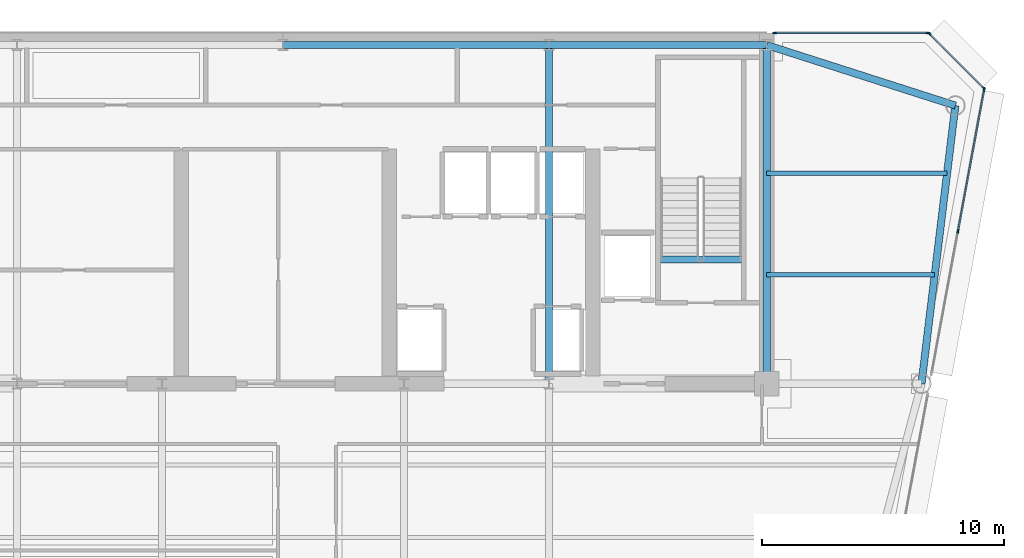
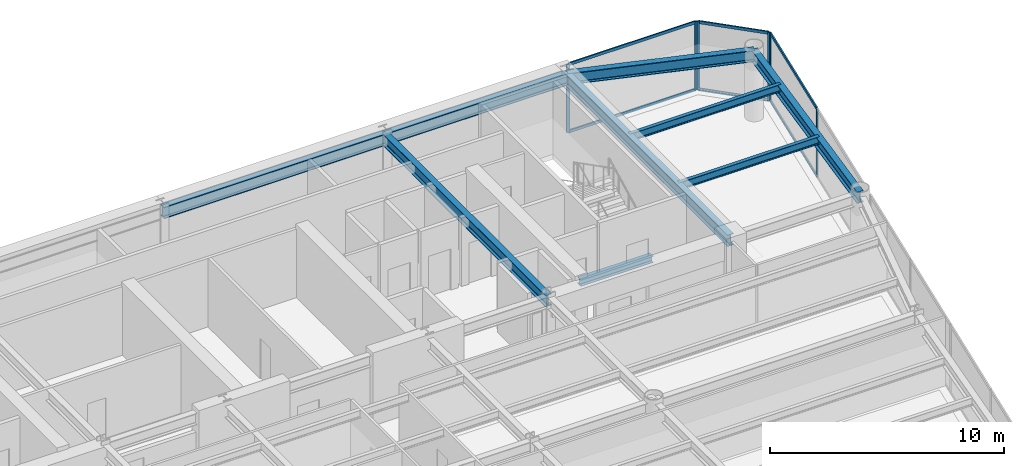
# One storey, part 9 of 16: 12 members, 9 beams, 3 elements without a shape of their own.
"""IFC4 building model written with IfcOpenShell, lengths in metres."""

from ifc_helpers import new_model, si_unit, direction, frame, origin, origin_2d, place, context, subcontext, project, spatial, rectangle, i_section, extrude, source, transform, mapped, material, layer, layer_set, material_profile, profile_set, type_object, element, aggregate, save


model = new_model("IFC4")

# Units and contexts
model_context = context("Model", 3, precision=1e-05, world=origin(), true_north=direction((0.0, 1.0)))
body_context = subcontext(model_context, "Body", "Model", "MODEL_VIEW")
ifc_project = project(units=[si_unit("LENGTHUNIT", "METRE"), si_unit("AREAUNIT", "SQUARE_METRE"), si_unit("VOLUMEUNIT", "CUBIC_METRE"), si_unit("PLANEANGLEUNIT", "RADIAN"), si_unit("MASSUNIT", "GRAM", prefix="KILO")], contexts=[model_context])

# Site, building, storey
site_placement = place(None, origin())
site = spatial("IfcSite", under=ifc_project, at=site_placement, CompositionType="ELEMENT")
building_placement = place(site_placement, origin())
building = spatial("IfcBuilding", under=site, at=building_placement, Name="Vaeldorn Concourse Tower", CompositionType="ELEMENT")
storey_placement = place(building_placement, frame((0.0, 0.0, 223.199951171875)))
storey = spatial("IfcBuildingStorey", under=building, at=storey_placement, Name="L57", CompositionType="ELEMENT", Elevation=223.199951171875)

# Beams
ifc_material_1 = material(Name="Steel S355", Category="steel")
ifc_material_profile_1 = material_profile(ifc_material_1, i_section(OverallWidth=0.300048828125, OverallDepth=0.340087890625, WebThickness=0.011962890625, FlangeThickness=0.021484375, FilletRadius=0.027099609375, at=origin_2d()), Name="HEB 340")
ifc_profile_set_1 = profile_set([ifc_material_profile_1], Name="Steel S355")
beam_type_1 = type_object("IfcBeamType", Name="BM-ST-TRIM", PredefinedType="BEAM", material=ifc_profile_set_1)
shared_shape_1 = source(origin(), body_context, "Body", "SweptSolid", [
    extrude(i_section(OverallWidth=0.300048828125, OverallDepth=0.340087890625, WebThickness=0.011962890625, FlangeThickness=0.021484375, FilletRadius=0.027099609375, at=origin_2d()), origin(), (0.0, 0.0, 1.0), 3.590087890625),
])
beam_1_placement = place(storey_placement, frame((49.47998046875, 41.639892578125, -0.429931640625), z_axis=(1.0, 0.0, 0.0), x_axis=(0.0, 1.0, 0.0)))
element("IfcBeam", 1, at=beam_1_placement, inside=storey, type_object=beam_type_1, Name="Stair Landing Trimmer Beam ST-2 L57", PredefinedType="BEAM", context=body_context, shape_type="MappedRepresentation", body=[
    mapped(shared_shape_1, transform((0.0, 0.0, 0.0), scale=1.0)),
])
ifc_material_profile_2 = material_profile(ifc_material_1, i_section(OverallWidth=0.300048828125, OverallDepth=0.60009765625, WebThickness=0.015380859375, FlangeThickness=0.030029296875, FilletRadius=0.027099609375, at=origin_2d()), Name="HEB 600")
ifc_profile_set_2 = profile_set([ifc_material_profile_2], Name="Steel S355")
beam_type_2 = type_object("IfcBeamType", Name="BM-PG-HEB600", PredefinedType="BEAM", material=ifc_profile_set_2)
shared_shape_2 = source(origin(), body_context, "Body", "SweptSolid", [
    extrude(i_section(OverallWidth=0.300048828125, OverallDepth=0.60009765625, WebThickness=0.015380859375, FlangeThickness=0.030029296875, FilletRadius=0.027099609375, at=origin_2d()), origin(), (0.0, 0.0, 1.0), 9.0),
])
beam_2_placement = place(storey_placement, frame((45.0, 50.5, 3.280029296875), z_axis=(1.0, 0.0, 0.0), x_axis=(0.0, 1.0, 0.0)))
element("IfcBeam", 2, at=beam_2_placement, inside=storey, type_object=beam_type_2, Name="Beam BM-L57-C-HC4-C-HC5", PredefinedType="BEAM", context=body_context, shape_type="MappedRepresentation", body=[
    mapped(shared_shape_2, transform((0.0, 0.0, 0.0), scale=1.0)),
])
shared_shape_3 = source(origin(), body_context, "Body", "SweptSolid", [
    extrude(i_section(OverallWidth=0.300048828125, OverallDepth=0.60009765625, WebThickness=0.015380859375, FlangeThickness=0.030029296875, FilletRadius=0.027099609375, at=origin_2d()), origin(), (0.0, 0.0, 1.0), 11.0),
])
beam_3_placement = place(storey_placement, frame((34.0, 50.5, 3.280029296875), z_axis=(1.0, 0.0, 0.0), x_axis=(0.0, 1.0, 0.0)))
element("IfcBeam", 3, at=beam_3_placement, inside=storey, type_object=beam_type_2, Name="Beam BM-L57-C-HC3-C-HC4", PredefinedType="BEAM", context=body_context, shape_type="MappedRepresentation", body=[
    mapped(shared_shape_3, transform((0.0, 0.0, 0.0), scale=1.0)),
])
shared_shape_4 = source(origin(), body_context, "Body", "SweptSolid", [
    extrude(i_section(OverallWidth=0.300048828125, OverallDepth=0.60009765625, WebThickness=0.015380859375, FlangeThickness=0.030029296875, FilletRadius=0.027099609375, at=origin_2d()), origin(), (0.0, 0.0, 1.0), 14.0),
])
for number, where, z_axis, x_axis, name in (
    (4, (45.0, 36.5, 3.280029296875), (0.0, 1.0, 0.0), (-1.0, 0.0, 0.0), "Beam BM-L57-C-FC5-C-HC4"),
    (5, (54.0, 36.5, 3.280029296875), (0.0, 1.0, 0.0), (-1.0, 0.0, 0.0), "Beam BM-L57-C-FC6-C-HC5"),
):
    element("IfcBeam", number, at=place(storey_placement, frame(where, z_axis=z_axis, x_axis=x_axis)), inside=storey, type_object=beam_type_2, Name=name, PredefinedType="BEAM", context=body_context, shape_type="MappedRepresentation", body=[
        mapped(shared_shape_4, transform((0.0, 0.0, 0.0), scale=1.0)),
    ])
shared_shape_5 = source(origin(), body_context, "Body", "SweptSolid", [
    extrude(i_section(OverallWidth=0.300048828125, OverallDepth=0.60009765625, WebThickness=0.015380859375, FlangeThickness=0.030029296875, FilletRadius=0.027099609375, at=origin_2d()), origin(), (0.0, 0.0, 1.0), 8.19091796875),
])
beam_4_placement = place(storey_placement, frame((54.0, 50.5, 3.280029296875), z_axis=(0.952282843383, -0.305216949396, 0.0), x_axis=(0.305216949396, 0.952282843383, 0.0)))
element("IfcBeam", 6, at=beam_4_placement, inside=storey, type_object=beam_type_2, Name="Beam BM-L57-C-HC5-C-NE1", PredefinedType="BEAM", context=body_context, shape_type="MappedRepresentation", body=[
    mapped(shared_shape_5, transform((0.0, 0.0, 0.0), scale=1.0)),
])
shared_shape_6 = source(origin(), body_context, "Body", "SweptSolid", [
    extrude(i_section(OverallWidth=0.300048828125, OverallDepth=0.60009765625, WebThickness=0.015380859375, FlangeThickness=0.030029296875, FilletRadius=0.027099609375, at=origin_2d()), origin(), (0.0, 0.0, 1.0), 11.5849609375),
])
beam_5_placement = place(storey_placement, frame((61.800048828125, 48.0, 3.280029296875), z_axis=(-0.120859382899, -0.992669637677, 0.0), x_axis=(0.992669637677, -0.120859382899, 0.0)))
element("IfcBeam", 7, at=beam_5_placement, inside=storey, type_object=beam_type_2, Name="Beam BM-L57-C-NE1-C-NE2", PredefinedType="BEAM", context=body_context, shape_type="MappedRepresentation", body=[
    mapped(shared_shape_6, transform((0.0, 0.0, 0.0), scale=1.0)),
])
ifc_material_profile_3 = material_profile(ifc_material_1, i_section(OverallWidth=0.179931640625, OverallDepth=0.39990234375, WebThickness=0.008544921875, FlangeThickness=0.013427734375, FilletRadius=0.02099609375, at=origin_2d()), Name="IPE 400")
ifc_profile_set_3 = profile_set([ifc_material_profile_3], Name="Steel S355")
beam_type_3 = type_object("IfcBeamType", Name="BM-JS-IPE400", PredefinedType="JOIST", material=ifc_profile_set_3)
shared_shape_7 = source(origin(), body_context, "Body", "SweptSolid", [
    extrude(i_section(OverallWidth=0.179931640625, OverallDepth=0.39990234375, WebThickness=0.008544921875, FlangeThickness=0.013427734375, FilletRadius=0.02099609375, at=origin_2d()), origin(), (0.0, 0.0, 1.0), 6.94775390625),
])
beam_6_placement = place(storey_placement, frame((54.0, 41.0, 3.380126953125), z_axis=(1.0, 0.0, 0.0), x_axis=(0.0, 1.0, 0.0)))
element("IfcBeam", 8, at=beam_6_placement, inside=storey, type_object=beam_type_3, Name="Beam JS-L57-NE-410", PredefinedType="JOIST", context=body_context, shape_type="MappedRepresentation", body=[
    mapped(shared_shape_7, transform((0.0, 0.0, 0.0), scale=1.0)),
])
shared_shape_8 = source(origin(), body_context, "Body", "SweptSolid", [
    extrude(i_section(OverallWidth=0.179931640625, OverallDepth=0.39990234375, WebThickness=0.008544921875, FlangeThickness=0.013427734375, FilletRadius=0.02099609375, at=origin_2d()), origin(), (0.0, 0.0, 1.0), 7.458984375),
])
beam_7_placement = place(storey_placement, frame((54.0, 45.199951171875, 3.380126953125), z_axis=(1.0, 0.0, 0.0), x_axis=(0.0, 1.0, 0.0)))
element("IfcBeam", 9, at=beam_7_placement, inside=storey, type_object=beam_type_3, Name="Beam JS-L57-NE-452", PredefinedType="JOIST", context=body_context, shape_type="MappedRepresentation", body=[
    mapped(shared_shape_8, transform((0.0, 0.0, 0.0), scale=1.0)),
])

# Curtain wall, members
ifc_material_2 = material(Name="Anodised Bronze Aluminium", Category="aluminium")
ifc_layer = layer(ifc_material_2, 0.179931640625)
ifc_layer_set = layer_set([ifc_layer], Name="Anodised Bronze Aluminium")
curtain_wall_type = type_object("IfcCurtainWallType", Name="CW-SYS-05", PredefinedType="NOTDEFINED", material=ifc_layer_set)
curtain_wall_1_placement = place(storey_placement, origin())
curtain_wall_1 = element("IfcCurtainWall", 10, at=curtain_wall_1_placement, inside=storey, type_object=curtain_wall_type, Name="Unitised Curtain Wall CW-L57-E08-1", PredefinedType="NOTDEFINED")
ifc_material_profile_4 = material_profile(ifc_material_2, rectangle(XDim=0.06494140625, YDim=0.14990234375, at=origin_2d()), Name="CWT 65x150")
ifc_profile_set_4 = profile_set([ifc_material_profile_4], Name="Anodised Bronze Aluminium")
member_type_1 = type_object("IfcMemberType", Name="CWT-BRONZE-150", PredefinedType="USERDEFINED", material=ifc_profile_set_4)
shared_shape_9 = source(origin(), body_context, "Body", "SweptSolid", [
    extrude(rectangle(XDim=0.06494140625, YDim=0.14990234375, at=origin_2d()), origin(), (0.0, 0.0, 1.0), 3.123046875),
])
member_1_placement = place(storey_placement, frame((62.9541015625, 48.745849609375, 0.032470703125), z_axis=(-0.707106781187, 0.707106781187, 0.0), x_axis=(-0.707106781187, -0.707106781187, 0.0)))
member_1 = element("IfcMember", 11, at=member_1_placement, type_object=member_type_1, Name="CW-05 transom 1.1", ObjectType="TRANSOM", PredefinedType="USERDEFINED", context=body_context, shape_type="MappedRepresentation", body=[
    mapped(shared_shape_9, transform((0.0, 0.0, 0.0), scale=1.0)),
])
member_2_placement = place(storey_placement, frame((62.9541015625, 48.745849609375, 3.547607421875), z_axis=(-0.707106781187, 0.707106781187, 0.0), x_axis=(-0.707106781187, -0.707106781187, 0.0)))
member_2 = element("IfcMember", 12, at=member_2_placement, type_object=member_type_1, Name="CW-05 transom 1.2", ObjectType="TRANSOM", PredefinedType="USERDEFINED", context=body_context, shape_type="MappedRepresentation", body=[
    mapped(shared_shape_9, transform((0.0, 0.0, 0.0), scale=1.0)),
])

curtain_wall_2_placement = place(storey_placement, origin())
curtain_wall_2 = element("IfcCurtainWall", 13, at=curtain_wall_2_placement, inside=storey, type_object=curtain_wall_type, Name="Unitised Curtain Wall CW-L57-E07-2", PredefinedType="NOTDEFINED")
ifc_material_profile_5 = material_profile(ifc_material_2, rectangle(XDim=0.06494140625, YDim=0.169921875, at=origin_2d()), Name="CWM 65x170")
ifc_profile_set_5 = profile_set([ifc_material_profile_5], Name="Anodised Bronze Aluminium")
member_type_2 = type_object("IfcMemberType", Name="CWM-BRONZE-170", PredefinedType="MULLION", material=ifc_profile_set_5)
shared_shape_10 = source(origin(), body_context, "Body", "SweptSolid", [
    extrude(rectangle(XDim=0.06494140625, YDim=0.169921875, at=origin_2d()), origin(), (0.0, 0.0, 1.0), 3.580078125),
])
member_3_placement = place(storey_placement, frame((61.908203125, 42.7978515625, 0.0), z_axis=(0.0, 0.0, 1.0), x_axis=(-0.983319270992, 0.181887908602, 0.0)))
member_3 = element("IfcMember", 14, at=member_3_placement, type_object=member_type_2, Name="CW-05 mullion 2", PredefinedType="MULLION", context=body_context, shape_type="MappedRepresentation", body=[
    mapped(shared_shape_10, transform((0.0, 0.0, 0.0), scale=1.0)),
])
member_4_placement = place(storey_placement, frame((62.994140625, 48.66796875, 0.0), z_axis=(0.0, 0.0, 1.0), x_axis=(-0.983319270992, 0.181887908602, 0.0)))
member_4 = element("IfcMember", 15, at=member_4_placement, type_object=member_type_2, Name="CW-05 mullion 3", PredefinedType="MULLION", context=body_context, shape_type="MappedRepresentation", body=[
    mapped(shared_shape_10, transform((0.0, 0.0, 0.0), scale=1.0)),
])

# Member
member_5_placement = place(storey_placement, frame((62.97705078125, 48.722900390625, 0.0), z_axis=(0.0, 0.0, 1.0), x_axis=(-0.707106781187, -0.707106781187, 0.0)))
member_5 = element("IfcMember", 16, at=member_5_placement, type_object=member_type_2, Name="CW-05 mullion 1", PredefinedType="MULLION", context=body_context, shape_type="MappedRepresentation", body=[
    mapped(shared_shape_10, transform((0.0, 0.0, 0.0), scale=1.0)),
])

member_6_placement = place(storey_placement, frame((60.722900390625, 50.97705078125, 0.0), z_axis=(0.0, 0.0, 1.0), x_axis=(-0.707106781187, -0.707106781187, 0.0)))
member_6 = element("IfcMember", 17, at=member_6_placement, type_object=member_type_2, Name="CW-05 mullion 2", PredefinedType="MULLION", context=body_context, shape_type="MappedRepresentation", body=[
    mapped(shared_shape_10, transform((0.0, 0.0, 0.0), scale=1.0)),
])

aggregate(curtain_wall_1, [member_5, member_6, member_1, member_2])

# Curtain wall, members
curtain_wall_3_placement = place(storey_placement, origin())
curtain_wall_3 = element("IfcCurtainWall", 18, at=curtain_wall_3_placement, inside=storey, type_object=curtain_wall_type, Name="Unitised Curtain Wall CW-L57-E09-1", PredefinedType="NOTDEFINED")
member_7_placement = place(storey_placement, frame((60.66748046875, 51.0, 0.0), z_axis=(0.0, 0.0, 1.0), x_axis=(0.0, -1.0, 0.0)))
member_7 = element("IfcMember", 19, at=member_7_placement, type_object=member_type_2, Name="CW-05 mullion 1", PredefinedType="MULLION", context=body_context, shape_type="MappedRepresentation", body=[
    mapped(shared_shape_10, transform((0.0, 0.0, 0.0), scale=1.0)),
])
member_8_placement = place(storey_placement, frame((54.327392578125, 51.0, 0.0), z_axis=(0.0, 0.0, 1.0), x_axis=(0.0, -1.0, 0.0)))
member_8 = element("IfcMember", 20, at=member_8_placement, type_object=member_type_2, Name="CW-05 mullion 2", PredefinedType="MULLION", context=body_context, shape_type="MappedRepresentation", body=[
    mapped(shared_shape_10, transform((0.0, 0.0, 0.0), scale=1.0)),
])
shared_shape_11 = source(origin(), body_context, "Body", "SweptSolid", [
    extrude(rectangle(XDim=0.06494140625, YDim=0.14990234375, at=origin_2d()), origin(), (0.0, 0.0, 1.0), 6.27490234375),
])
member_9_placement = place(storey_placement, frame((60.635009765625, 51.0, 0.032470703125), z_axis=(-1.0, 0.0, 0.0), x_axis=(0.0, -1.0, 0.0)))
member_9 = element("IfcMember", 21, at=member_9_placement, type_object=member_type_1, Name="CW-05 transom 1.1", ObjectType="TRANSOM", PredefinedType="USERDEFINED", context=body_context, shape_type="MappedRepresentation", body=[
    mapped(shared_shape_11, transform((0.0, 0.0, 0.0), scale=1.0)),
])
member_10_placement = place(storey_placement, frame((60.635009765625, 51.0, 3.547607421875), z_axis=(-1.0, 0.0, 0.0), x_axis=(0.0, -1.0, 0.0)))
member_10 = element("IfcMember", 22, at=member_10_placement, type_object=member_type_1, Name="CW-05 transom 1.2", ObjectType="TRANSOM", PredefinedType="USERDEFINED", context=body_context, shape_type="MappedRepresentation", body=[
    mapped(shared_shape_11, transform((0.0, 0.0, 0.0), scale=1.0)),
])
aggregate(curtain_wall_3, [member_7, member_8, member_9, member_10])

# Member
shared_shape_12 = source(origin(), body_context, "Body", "SweptSolid", [
    extrude(rectangle(XDim=0.06494140625, YDim=0.14990234375, at=origin_2d()), origin(), (0.0, 0.0, 1.0), 5.90478515625),
])
member_11_placement = place(storey_placement, frame((61.9140625, 42.829833984375, 0.032470703125), z_axis=(0.181926392545, 0.983312151707, 0.0), x_axis=(-0.983312151707, 0.181926392545, 0.0)))
member_11 = element("IfcMember", 23, at=member_11_placement, type_object=member_type_1, Name="CW-05 transom 2.1", ObjectType="TRANSOM", PredefinedType="USERDEFINED", context=body_context, shape_type="MappedRepresentation", body=[
    mapped(shared_shape_12, transform((0.0, 0.0, 0.0), scale=1.0)),
])

member_12_placement = place(storey_placement, frame((61.9140625, 42.829833984375, 3.547607421875), z_axis=(0.181926392545, 0.983312151707, 0.0), x_axis=(-0.983312151707, 0.181926392545, 0.0)))
member_12 = element("IfcMember", 24, at=member_12_placement, type_object=member_type_1, Name="CW-05 transom 2.2", ObjectType="TRANSOM", PredefinedType="USERDEFINED", context=body_context, shape_type="MappedRepresentation", body=[
    mapped(shared_shape_12, transform((0.0, 0.0, 0.0), scale=1.0)),
])

aggregate(curtain_wall_2, [member_3, member_4, member_11, member_12])

save(model, "model.ifc")
